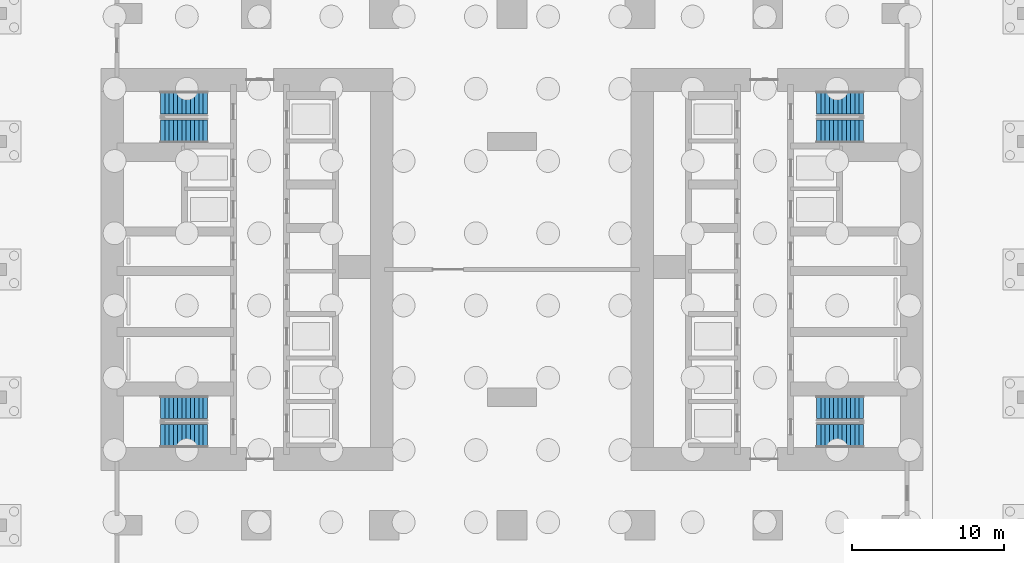
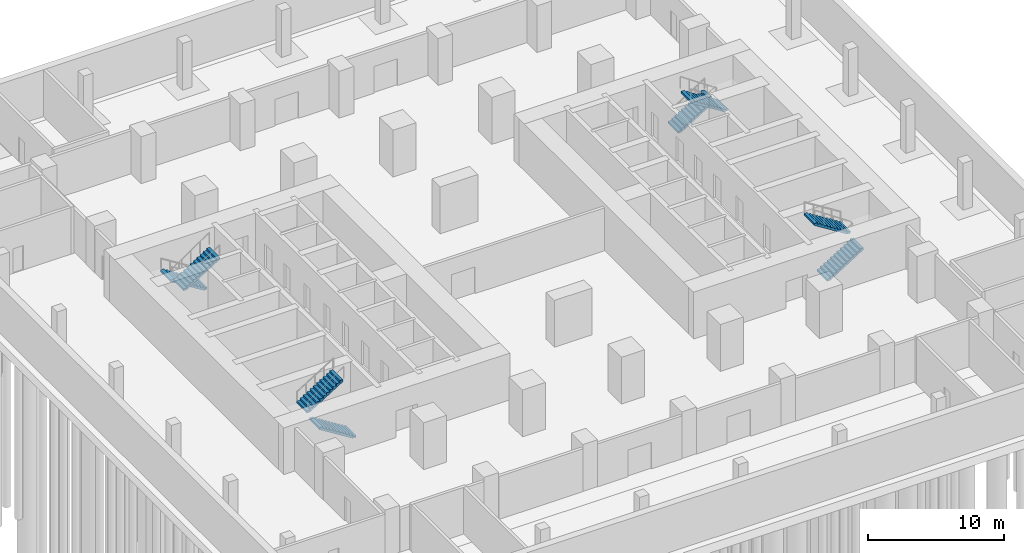
# One storey, part 9 of 11: 8 stair flights, 4 elements without a shape of their own.
"""IFC4 building model written with IfcOpenShell, lengths in metres."""

from ifc_helpers import new_model, si_unit, direction, frame, origin, place, context, subcontext, project, spatial, polyline, outline, extrude, material, type_object, element, aggregate, save


model = new_model("IFC4")

# Units and contexts
model_context = context("Model", 3, precision=1e-05, world=origin(), true_north=direction((0.0, 1.0)))
body_context = subcontext(model_context, "Body", "Model", "MODEL_VIEW")
ifc_project = project(units=[si_unit("LENGTHUNIT", "METRE"), si_unit("AREAUNIT", "SQUARE_METRE"), si_unit("VOLUMEUNIT", "CUBIC_METRE"), si_unit("PLANEANGLEUNIT", "RADIAN"), si_unit("MASSUNIT", "GRAM", prefix="KILO")], contexts=[model_context])

# Site, building, storey
site_placement = place(None, origin())
site = spatial("IfcSite", under=ifc_project, at=site_placement, CompositionType="ELEMENT")
building_placement = place(site_placement, origin())
building = spatial("IfcBuilding", under=site, at=building_placement, Name="Claustro Exchange Tower", CompositionType="ELEMENT")
storey_placement = place(building_placement, frame((0.0, 0.0, -8.39990234375)))
storey = spatial("IfcBuildingStorey", under=building, at=storey_placement, Name="B2", CompositionType="ELEMENT", Elevation=-8.39990234375)

# Stair, stair flights
ifc_material_1 = material(Name="Concrete HA-30 (C30/37), precast", Category="concrete")
stair_type = type_object("IfcStairType", Name="ST1 half-turn stair, 24 risers of 175", PredefinedType="HALF_TURN_STAIR", material=ifc_material_1)
stair_1_placement = place(storey_placement, origin())
stair_1 = element("IfcStair", 1, at=stair_1_placement, inside=storey, type_object=stair_type, Name="Stair STWA B2", PredefinedType="HALF_TURN_STAIR")
ifc_material_2 = material(Name="Concrete HA-30 (C30/37), precast", Category="concrete")
stair_flight_type = type_object("IfcStairFlightType", Name="SF12A straight flight, 12 risers of 175, 1500 wide", PredefinedType="STRAIGHT", material=ifc_material_2)
stair_flight_1_placement = place(storey_placement, frame((5.199951171875, 14.25, 0.0), z_axis=(0.0, 0.0, 1.0), x_axis=(-1.0, 0.0, 0.0)))
stair_flight_1 = element("IfcStairFlight", 2, at=stair_flight_1_placement, type_object=stair_flight_type, Name="STWA flight 1", NumberOfRisers=12, NumberOfTreads=11, PredefinedType="STRAIGHT", RiserHeight=0.175, TreadLength=0.28, context=body_context, shape_type="SweptSolid", body=[
    extrude(outline(polyline([(0.0, 0.0), (0.0, 0.175048828125), (0.280029296875, 0.175048828125), (0.280029296875, 0.35009765625), (0.56005859375, 0.35009765625), (0.56005859375, 0.52490234375), (0.840087890625, 0.52490234375), (0.840087890625, 0.699951171875), (1.1201171875, 0.699951171875), (1.1201171875, 0.875), (1.39990234375, 0.875), (1.39990234375, 1.050048828125), (1.679931640625, 1.050048828125), (1.679931640625, 1.22509765625), (1.9599609375, 1.22509765625), (1.9599609375, 1.39990234375), (2.239990234375, 1.39990234375), (2.239990234375, 1.574951171875), (2.52001953125, 1.574951171875), (2.52001953125, 1.75), (2.800048828125, 1.75), (2.800048828125, 1.925048828125), (3.080078125, 1.925048828125), (3.080078125, 2.10009765625), (3.080078125, 1.748291015625), (0.28271484375, 0.0), (0.0, 0.0)])), frame((0.0, 0.75, 0.0), z_axis=(0.0, -1.0, 0.0), x_axis=(1.0, 0.0, 0.0)), (0.0, 0.0, 1.0), 1.5),
])
stair_flight_2_placement = place(storey_placement, frame((2.1201171875, 16.14990234375, 2.099853515625), z_axis=(0.0, 0.0, 1.0), x_axis=(1.0, 0.0, 0.0)))
stair_flight_2 = element("IfcStairFlight", 3, at=stair_flight_2_placement, type_object=stair_flight_type, Name="STWA flight 2", NumberOfRisers=12, NumberOfTreads=11, PredefinedType="STRAIGHT", RiserHeight=0.175, TreadLength=0.28, context=body_context, shape_type="SweptSolid", body=[
    extrude(outline(polyline([(0.0, 0.0), (0.0, 0.175048828125), (0.280029296875, 0.175048828125), (0.280029296875, 0.35009765625), (0.56005859375, 0.35009765625), (0.56005859375, 0.52490234375), (0.840087890625, 0.52490234375), (0.840087890625, 0.699951171875), (1.1201171875, 0.699951171875), (1.1201171875, 0.875), (1.39990234375, 0.875), (1.39990234375, 1.050048828125), (1.679931640625, 1.050048828125), (1.679931640625, 1.22509765625), (1.9599609375, 1.22509765625), (1.9599609375, 1.39990234375), (2.239990234375, 1.39990234375), (2.239990234375, 1.574951171875), (2.52001953125, 1.574951171875), (2.52001953125, 1.75), (2.800048828125, 1.75), (2.800048828125, 1.925048828125), (3.080078125, 1.925048828125), (3.080078125, 2.10009765625), (3.080078125, 1.748291015625), (0.28271484375, 0.0), (0.0, 0.0)])), frame((0.0, 0.75, 0.0), z_axis=(0.0, -1.0, 0.0), x_axis=(1.0, 0.0, 0.0)), (0.0, 0.0, 1.0), 1.5),
])
aggregate(stair_1, [stair_flight_1, stair_flight_2])

stair_2_placement = place(storey_placement, origin())
stair_2 = element("IfcStair", 4, at=stair_2_placement, inside=storey, type_object=stair_type, Name="Stair STWB B2", PredefinedType="HALF_TURN_STAIR")
stair_flight_3_placement = place(storey_placement, frame((5.199951171875, 36.14990234375, 0.0), z_axis=(0.0, 0.0, 1.0), x_axis=(-1.0, 0.0, 0.0)))
stair_flight_3 = element("IfcStairFlight", 5, at=stair_flight_3_placement, type_object=stair_flight_type, Name="STWB flight 1", NumberOfRisers=12, NumberOfTreads=11, PredefinedType="STRAIGHT", RiserHeight=0.175, TreadLength=0.28, context=body_context, shape_type="SweptSolid", body=[
    extrude(outline(polyline([(0.0, 0.0), (0.0, 0.175048828125), (0.280029296875, 0.175048828125), (0.280029296875, 0.35009765625), (0.56005859375, 0.35009765625), (0.56005859375, 0.52490234375), (0.840087890625, 0.52490234375), (0.840087890625, 0.699951171875), (1.1201171875, 0.699951171875), (1.1201171875, 0.875), (1.39990234375, 0.875), (1.39990234375, 1.050048828125), (1.679931640625, 1.050048828125), (1.679931640625, 1.22509765625), (1.9599609375, 1.22509765625), (1.9599609375, 1.39990234375), (2.239990234375, 1.39990234375), (2.239990234375, 1.574951171875), (2.52001953125, 1.574951171875), (2.52001953125, 1.75), (2.800048828125, 1.75), (2.800048828125, 1.925048828125), (3.080078125, 1.925048828125), (3.080078125, 2.10009765625), (3.080078125, 1.748291015625), (0.28271484375, 0.0), (0.0, 0.0)])), frame((0.0, 0.75, 0.0), z_axis=(0.0, -1.0, 0.0), x_axis=(1.0, 0.0, 0.0)), (0.0, 0.0, 1.0), 1.5),
])
stair_flight_4_placement = place(storey_placement, frame((2.1201171875, 34.25, 2.099853515625), z_axis=(0.0, 0.0, 1.0), x_axis=(1.0, 0.0, 0.0)))
stair_flight_4 = element("IfcStairFlight", 6, at=stair_flight_4_placement, type_object=stair_flight_type, Name="STWB flight 2", NumberOfRisers=12, NumberOfTreads=11, PredefinedType="STRAIGHT", RiserHeight=0.175, TreadLength=0.28, context=body_context, shape_type="SweptSolid", body=[
    extrude(outline(polyline([(0.0, 0.0), (0.0, 0.175048828125), (0.280029296875, 0.175048828125), (0.280029296875, 0.35009765625), (0.56005859375, 0.35009765625), (0.56005859375, 0.52490234375), (0.840087890625, 0.52490234375), (0.840087890625, 0.699951171875), (1.1201171875, 0.699951171875), (1.1201171875, 0.875), (1.39990234375, 0.875), (1.39990234375, 1.050048828125), (1.679931640625, 1.050048828125), (1.679931640625, 1.22509765625), (1.9599609375, 1.22509765625), (1.9599609375, 1.39990234375), (2.239990234375, 1.39990234375), (2.239990234375, 1.574951171875), (2.52001953125, 1.574951171875), (2.52001953125, 1.75), (2.800048828125, 1.75), (2.800048828125, 1.925048828125), (3.080078125, 1.925048828125), (3.080078125, 2.10009765625), (3.080078125, 1.748291015625), (0.28271484375, 0.0), (0.0, 0.0)])), frame((0.0, 0.75, 0.0), z_axis=(0.0, -1.0, 0.0), x_axis=(1.0, 0.0, 0.0)), (0.0, 0.0, 1.0), 1.5),
])
aggregate(stair_2, [stair_flight_3, stair_flight_4])

stair_3_placement = place(storey_placement, origin())
stair_3 = element("IfcStair", 7, at=stair_3_placement, inside=storey, type_object=stair_type, Name="Stair STEA B2", PredefinedType="HALF_TURN_STAIR")
stair_flight_5_placement = place(storey_placement, frame((45.199951171875, 14.25, 0.0), z_axis=(0.0, 0.0, 1.0), x_axis=(1.0, 0.0, 0.0)))
stair_flight_5 = element("IfcStairFlight", 8, at=stair_flight_5_placement, type_object=stair_flight_type, Name="STEA flight 1", NumberOfRisers=12, NumberOfTreads=11, PredefinedType="STRAIGHT", RiserHeight=0.175, TreadLength=0.28, context=body_context, shape_type="SweptSolid", body=[
    extrude(outline(polyline([(0.0, 0.0), (0.0, 0.175048828125), (0.280029296875, 0.175048828125), (0.280029296875, 0.35009765625), (0.56005859375, 0.35009765625), (0.56005859375, 0.52490234375), (0.840087890625, 0.52490234375), (0.840087890625, 0.699951171875), (1.1201171875, 0.699951171875), (1.1201171875, 0.875), (1.39990234375, 0.875), (1.39990234375, 1.050048828125), (1.679931640625, 1.050048828125), (1.679931640625, 1.22509765625), (1.9599609375, 1.22509765625), (1.9599609375, 1.39990234375), (2.239990234375, 1.39990234375), (2.239990234375, 1.574951171875), (2.52001953125, 1.574951171875), (2.52001953125, 1.75), (2.800048828125, 1.75), (2.800048828125, 1.925048828125), (3.080078125, 1.925048828125), (3.080078125, 2.10009765625), (3.080078125, 1.748291015625), (0.28271484375, 0.0), (0.0, 0.0)])), frame((0.0, 0.75, 0.0), z_axis=(0.0, -1.0, 0.0), x_axis=(1.0, 0.0, 0.0)), (0.0, 0.0, 1.0), 1.5),
])
stair_flight_6_placement = place(storey_placement, frame((48.280029296875, 16.14990234375, 2.099853515625), z_axis=(0.0, 0.0, 1.0), x_axis=(-1.0, 0.0, 0.0)))
stair_flight_6 = element("IfcStairFlight", 9, at=stair_flight_6_placement, type_object=stair_flight_type, Name="STEA flight 2", NumberOfRisers=12, NumberOfTreads=11, PredefinedType="STRAIGHT", RiserHeight=0.175, TreadLength=0.28, context=body_context, shape_type="SweptSolid", body=[
    extrude(outline(polyline([(0.0, 0.0), (0.0, 0.175048828125), (0.280029296875, 0.175048828125), (0.280029296875, 0.35009765625), (0.56005859375, 0.35009765625), (0.56005859375, 0.52490234375), (0.840087890625, 0.52490234375), (0.840087890625, 0.699951171875), (1.1201171875, 0.699951171875), (1.1201171875, 0.875), (1.39990234375, 0.875), (1.39990234375, 1.050048828125), (1.679931640625, 1.050048828125), (1.679931640625, 1.22509765625), (1.9599609375, 1.22509765625), (1.9599609375, 1.39990234375), (2.239990234375, 1.39990234375), (2.239990234375, 1.574951171875), (2.52001953125, 1.574951171875), (2.52001953125, 1.75), (2.800048828125, 1.75), (2.800048828125, 1.925048828125), (3.080078125, 1.925048828125), (3.080078125, 2.10009765625), (3.080078125, 1.748291015625), (0.28271484375, 0.0), (0.0, 0.0)])), frame((0.0, 0.75, 0.0), z_axis=(0.0, -1.0, 0.0), x_axis=(1.0, 0.0, 0.0)), (0.0, 0.0, 1.0), 1.5),
])
aggregate(stair_3, [stair_flight_5, stair_flight_6])

stair_4_placement = place(storey_placement, origin())
stair_4 = element("IfcStair", 10, at=stair_4_placement, inside=storey, type_object=stair_type, Name="Stair STEB B2", PredefinedType="HALF_TURN_STAIR")
stair_flight_7_placement = place(storey_placement, frame((45.199951171875, 36.14990234375, 0.0), z_axis=(0.0, 0.0, 1.0), x_axis=(1.0, 0.0, 0.0)))
stair_flight_7 = element("IfcStairFlight", 11, at=stair_flight_7_placement, type_object=stair_flight_type, Name="STEB flight 1", NumberOfRisers=12, NumberOfTreads=11, PredefinedType="STRAIGHT", RiserHeight=0.175, TreadLength=0.28, context=body_context, shape_type="SweptSolid", body=[
    extrude(outline(polyline([(0.0, 0.0), (0.0, 0.175048828125), (0.280029296875, 0.175048828125), (0.280029296875, 0.35009765625), (0.56005859375, 0.35009765625), (0.56005859375, 0.52490234375), (0.840087890625, 0.52490234375), (0.840087890625, 0.699951171875), (1.1201171875, 0.699951171875), (1.1201171875, 0.875), (1.39990234375, 0.875), (1.39990234375, 1.050048828125), (1.679931640625, 1.050048828125), (1.679931640625, 1.22509765625), (1.9599609375, 1.22509765625), (1.9599609375, 1.39990234375), (2.239990234375, 1.39990234375), (2.239990234375, 1.574951171875), (2.52001953125, 1.574951171875), (2.52001953125, 1.75), (2.800048828125, 1.75), (2.800048828125, 1.925048828125), (3.080078125, 1.925048828125), (3.080078125, 2.10009765625), (3.080078125, 1.748291015625), (0.28271484375, 0.0), (0.0, 0.0)])), frame((0.0, 0.75, 0.0), z_axis=(0.0, -1.0, 0.0), x_axis=(1.0, 0.0, 0.0)), (0.0, 0.0, 1.0), 1.5),
])
stair_flight_8_placement = place(storey_placement, frame((48.280029296875, 34.25, 2.099853515625), z_axis=(0.0, 0.0, 1.0), x_axis=(-1.0, 0.0, 0.0)))
stair_flight_8 = element("IfcStairFlight", 12, at=stair_flight_8_placement, type_object=stair_flight_type, Name="STEB flight 2", NumberOfRisers=12, NumberOfTreads=11, PredefinedType="STRAIGHT", RiserHeight=0.175, TreadLength=0.28, context=body_context, shape_type="SweptSolid", body=[
    extrude(outline(polyline([(0.0, 0.0), (0.0, 0.175048828125), (0.280029296875, 0.175048828125), (0.280029296875, 0.35009765625), (0.56005859375, 0.35009765625), (0.56005859375, 0.52490234375), (0.840087890625, 0.52490234375), (0.840087890625, 0.699951171875), (1.1201171875, 0.699951171875), (1.1201171875, 0.875), (1.39990234375, 0.875), (1.39990234375, 1.050048828125), (1.679931640625, 1.050048828125), (1.679931640625, 1.22509765625), (1.9599609375, 1.22509765625), (1.9599609375, 1.39990234375), (2.239990234375, 1.39990234375), (2.239990234375, 1.574951171875), (2.52001953125, 1.574951171875), (2.52001953125, 1.75), (2.800048828125, 1.75), (2.800048828125, 1.925048828125), (3.080078125, 1.925048828125), (3.080078125, 2.10009765625), (3.080078125, 1.748291015625), (0.28271484375, 0.0), (0.0, 0.0)])), frame((0.0, 0.75, 0.0), z_axis=(0.0, -1.0, 0.0), x_axis=(1.0, 0.0, 0.0)), (0.0, 0.0, 1.0), 1.5),
])
aggregate(stair_4, [stair_flight_7, stair_flight_8])

save(model, "model.ifc")
